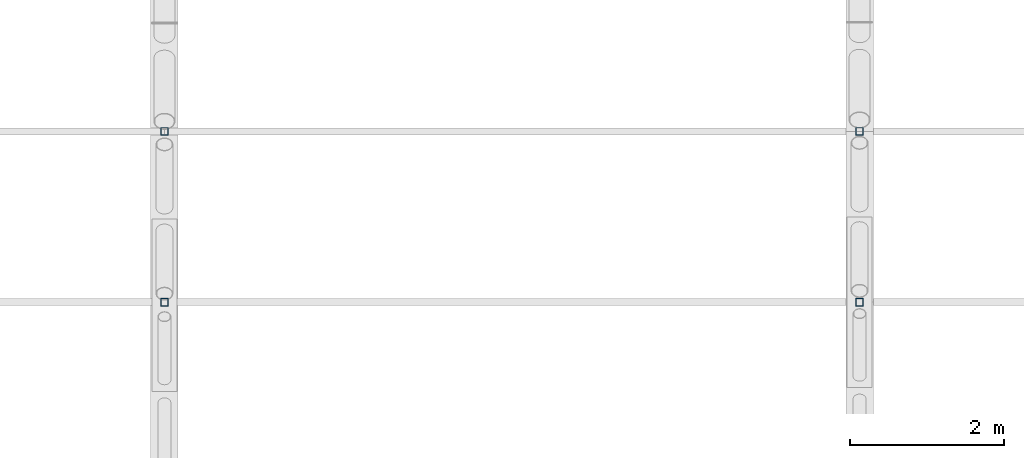
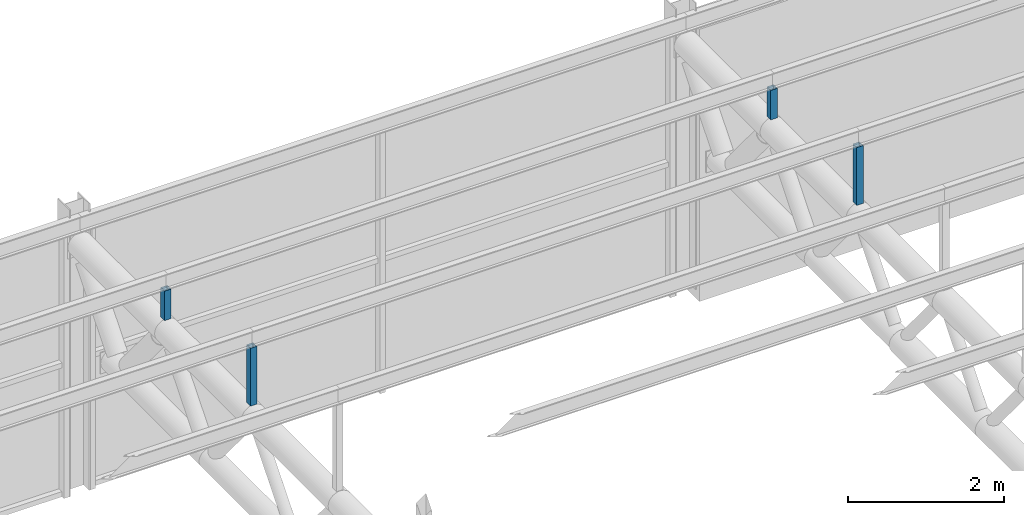
# One storey, part 91 of 138: 4 members.
"""IFC4 building model written with IfcOpenShell, lengths in metres."""

from ifc_helpers import new_model, si_unit, direction, frame, origin, origin_2d, place, context, subcontext, project, spatial, hollow_rectangle, extrude, material, material_profile, profile_set, type_object, element, save


model = new_model("IFC4")

# Units and contexts
model_context = context("Model", 3, precision=1e-05, world=origin(), true_north=direction((0.0, 1.0)))
body_context = subcontext(model_context, "Body", "Model", "MODEL_VIEW")
ifc_project = project(units=[si_unit("LENGTHUNIT", "METRE"), si_unit("AREAUNIT", "SQUARE_METRE"), si_unit("VOLUMEUNIT", "CUBIC_METRE"), si_unit("PLANEANGLEUNIT", "RADIAN"), si_unit("MASSUNIT", "GRAM", prefix="KILO")], contexts=[model_context])

# Site, building, storey
site_placement = place(None, origin())
site = spatial("IfcSite", under=ifc_project, at=site_placement, CompositionType="ELEMENT")
building_placement = place(site_placement, origin())
building = spatial("IfcBuilding", under=site, at=building_placement, Name="Corbel Yard City Hall", CompositionType="ELEMENT")
storey_placement = place(building_placement, frame((0.0, 0.0, 10.5)))
storey = spatial("IfcBuildingStorey", under=building, at=storey_placement, Name="L02", CompositionType="ELEMENT", Elevation=10.5)

# Members
ifc_material = material(Name="Steel Grade C450L0", Category="steel")
ifc_material_profile = material_profile(ifc_material, hollow_rectangle(XDim=0.10009765625, YDim=0.10009765625, WallThickness=0.006103515625, at=origin_2d()), Name="100x100x6.0SHS")
ifc_profile_set = profile_set([ifc_material_profile], Name="Steel Grade C450L0")
member_type = type_object("IfcMemberType", Name="Roof post 100x100x6.0SHS", PredefinedType="POST", material=ifc_profile_set)
member_1_placement = place(storey_placement, frame((54.0, 22.423828125, 4.10009765625), z_axis=(0.0, 0.0, 1.0), x_axis=(1.0, 0.0, 0.0)))
element("IfcMember", 1, at=member_1_placement, inside=storey, type_object=member_type, Name="Roof post 100x100x6.0SHS RP3", PredefinedType="POST", context=body_context, shape_type="SweptSolid", body=[
    extrude(hollow_rectangle(XDim=0.10009765625, YDim=0.10009765625, WallThickness=0.006103515625, at=origin_2d()), origin(), (0.0, 0.0, 1.0), 0.90625),
])
member_2_placement = place(storey_placement, frame((54.0, 24.6357421875, 4.10009765625), z_axis=(0.0, 0.0, 1.0), x_axis=(1.0, 0.0, 0.0)))
element("IfcMember", 2, at=member_2_placement, inside=storey, type_object=member_type, Name="Roof post 100x100x6.0SHS RP3", PredefinedType="POST", context=body_context, shape_type="SweptSolid", body=[
    extrude(hollow_rectangle(XDim=0.10009765625, YDim=0.10009765625, WallThickness=0.006103515625, at=origin_2d()), origin(), (0.0, 0.0, 1.0), 0.4638671875),
])
member_3_placement = place(storey_placement, frame((63.0, 22.423828125, 4.10009765625), z_axis=(0.0, 0.0, 1.0), x_axis=(1.0, 0.0, 0.0)))
element("IfcMember", 3, at=member_3_placement, inside=storey, type_object=member_type, Name="Roof post 100x100x6.0SHS RP3", PredefinedType="POST", context=body_context, shape_type="SweptSolid", body=[
    extrude(hollow_rectangle(XDim=0.10009765625, YDim=0.10009765625, WallThickness=0.006103515625, at=origin_2d()), origin(), (0.0, 0.0, 1.0), 0.90625),
])
member_4_placement = place(storey_placement, frame((63.0, 24.6357421875, 4.10009765625), z_axis=(0.0, 0.0, 1.0), x_axis=(1.0, 0.0, 0.0)))
element("IfcMember", 4, at=member_4_placement, inside=storey, type_object=member_type, Name="Roof post 100x100x6.0SHS RP3", PredefinedType="POST", context=body_context, shape_type="SweptSolid", body=[
    extrude(hollow_rectangle(XDim=0.10009765625, YDim=0.10009765625, WallThickness=0.006103515625, at=origin_2d()), origin(), (0.0, 0.0, 1.0), 0.4638671875),
])

save(model, "model.ifc")
